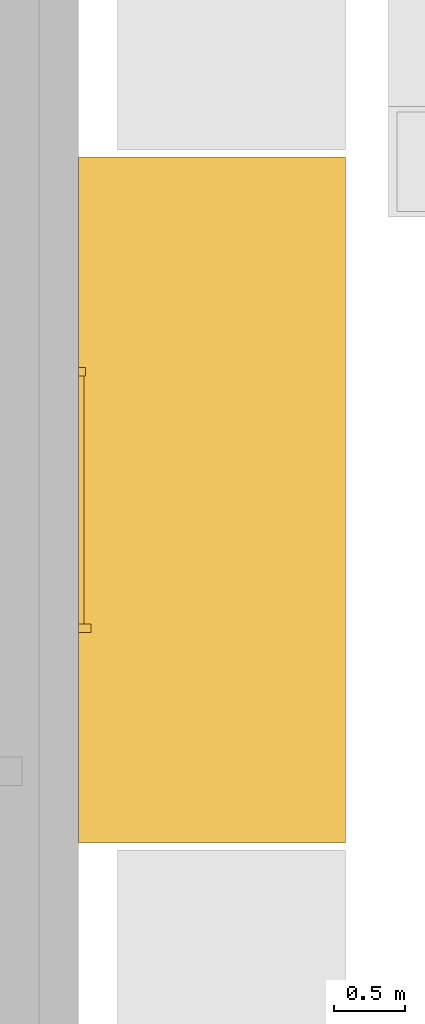
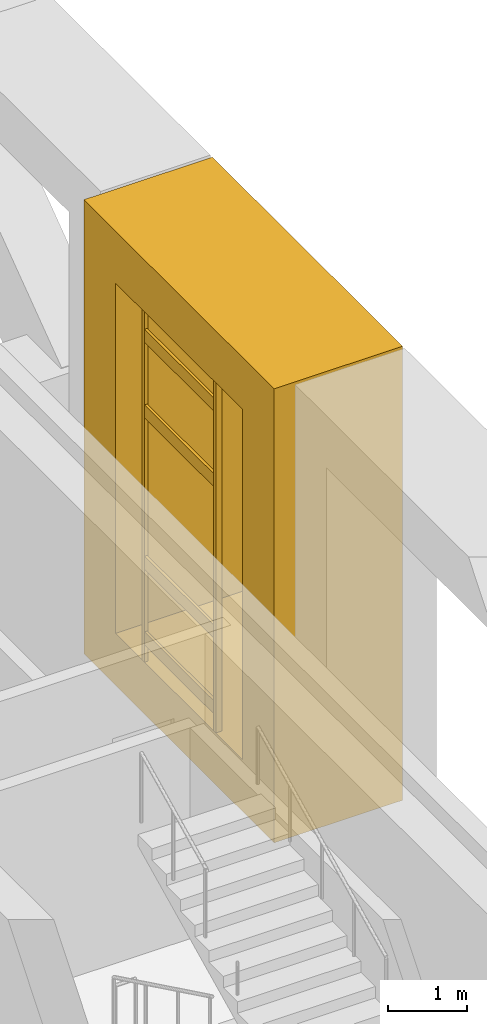
# One storey, part 20 of 22: 7 coverings.
"""IFC4 building model written with IfcOpenShell, lengths in metres."""

import ifcopenshell
import ifcopenshell.guid

model = None  # the IFC model being written
_history = None  # IfcOwnerHistory: only IFC2X3 demands one
_inside = {}  # id of a spatial element -> (the spatial element, [elements in it])
_under = {}  # id of a project, library or spatial element -> (it, [spatial elements below it])
_declared = {}  # id of a project -> (the project, [libraries it declares])
_typed = {}  # id of a type object -> (the type object, [elements of that type])
_made_of = {}  # id of a material, layer set ... -> (it, [elements and type objects made of it])


def new_model(schema):
    """Start an empty IFC model of exactly this schema.

    Asked for "IFC4X3", IfcOpenShell would pick the latest addendum, in which some entities
    have other attributes; the version numbers below select the first issue.
    IFC2X3 requires an IfcOwnerHistory on every rooted entity: one is made here for all.
    """
    global model, _history
    if schema == "IFC4X3":
        model = ifcopenshell.file(schema_version=(4, 3, 0, 0))
    else:
        model = ifcopenshell.file(schema=schema)
    _inside.clear()
    _under.clear()
    _declared.clear()
    _typed.clear()
    _made_of.clear()
    _history = None
    if model.schema == "IFC2X3":
        org = make("IfcOrganization", Name="unknown")
        user = make(
            "IfcPersonAndOrganization",
            ThePerson=make("IfcPerson", FamilyName="unknown"),
            TheOrganization=org,
        )
        app = make(
            "IfcApplication",
            ApplicationDeveloper=org,
            Version="unknown",
            ApplicationFullName="unknown",
            ApplicationIdentifier="unknown",
        )
        _history = make(
            "IfcOwnerHistory",
            OwningUser=user,
            OwningApplication=app,
            ChangeAction="ADDED",
            CreationDate=0,
        )
    return model


def make(cls, **values):
    """One entity of the class cls with the attributes given. An attribute that is None is left unset."""
    return model.create_entity(
        cls, **{name: value for name, value in values.items() if value is not None}
    )


def rooted(cls, **values):
    """An entity with a GlobalId (a new one), such as an element, a storey or a relation."""
    return make(cls, GlobalId=ifcopenshell.guid.new(), OwnerHistory=_history, **values)


def si_unit(unit_type, name, prefix=None):
    """IfcSIUnit, for example si_unit("LENGTHUNIT", "METRE", prefix="MILLI")."""
    return make("IfcSIUnit", UnitType=unit_type, Prefix=prefix, Name=name)


def assignment(units):
    """IfcUnitAssignment: the units of a project."""
    return None if units is None else make("IfcUnitAssignment", Units=units)


def point(xyz):
    """IfcCartesianPoint."""
    return None if xyz is None else make("IfcCartesianPoint", Coordinates=xyz)


def direction(xyz):
    """IfcDirection."""
    return None if xyz is None else make("IfcDirection", DirectionRatios=xyz)


def frame(location, z_axis=None, x_axis=None):
    """IfcAxis2Placement3D, a coordinate frame: its origin and axes. An axis left out is left unset."""
    return make(
        "IfcAxis2Placement3D",
        Location=point(location),
        Axis=direction(z_axis),
        RefDirection=direction(x_axis),
    )


def frame_2d(location, x_axis=None):
    """IfcAxis2Placement2D, a coordinate frame in the plane: its origin and x axis."""
    return make(
        "IfcAxis2Placement2D", Location=point(location), RefDirection=direction(x_axis)
    )


def origin():
    """The frame at (0, 0, 0) with its axes left unset."""
    return frame((0.0, 0.0, 0.0))


def origin_2d():
    """The frame at (0, 0) in the plane with its x axis left unset."""
    return frame_2d((0.0, 0.0))


def place(relative_to, where):
    """IfcLocalPlacement: puts the frame where relative to a parent placement (None: the world)."""
    return make(
        "IfcLocalPlacement", PlacementRelTo=relative_to, RelativePlacement=where
    )


def context(
    kind, dimensions, precision=None, world=None, true_north=None, identifier=None
):
    """IfcGeometricRepresentationContext, for example the 3D "Model" context."""
    return make(
        "IfcGeometricRepresentationContext",
        ContextIdentifier=identifier,
        ContextType=kind,
        CoordinateSpaceDimension=dimensions,
        Precision=precision,
        WorldCoordinateSystem=world,
        TrueNorth=true_north,
    )


def subcontext(parent, identifier, kind, view, scale=None):
    """IfcGeometricRepresentationSubContext, for example "Body" below "Model"."""
    return make(
        "IfcGeometricRepresentationSubContext",
        ContextIdentifier=identifier,
        ContextType=kind,
        ParentContext=parent,
        TargetScale=scale,
        TargetView=view,
    )


def project(units=None, contexts=None):
    """IfcProject with its units and contexts."""
    return rooted(
        "IfcProject",
        Name="project",
        RepresentationContexts=contexts,
        UnitsInContext=assignment(units),
    )


def spatial(cls, under=None, at=None, **own):
    """A site, building, storey or space (cls), placed at a placement, below another one or the project."""
    s = rooted(cls, ObjectPlacement=at, **own)
    if under is not None:
        _under.setdefault(under.id(), (under, []))[1].append(s)
    return s


def polyline(points):
    """IfcPolyline through the points."""
    return make("IfcPolyline", Points=[point(p) for p in points])


def profile(cls, at=None, kind="AREA", **sizes):
    """A parametric profile (cls). Its sizes go by their IFC names, for example OverallWidth=200.0."""
    return make(cls, ProfileType=kind, Position=at, **sizes)


def rectangle(**sizes):
    """IfcRectangleProfileDef."""
    return profile("IfcRectangleProfileDef", **sizes)


def outline(outer, holes=None, kind="AREA"):
    """IfcArbitraryClosedProfileDef: a profile drawn as a closed curve; with holes, ...WithVoids."""
    if holes is None:
        return make("IfcArbitraryClosedProfileDef", ProfileType=kind, OuterCurve=outer)
    return make(
        "IfcArbitraryProfileDefWithVoids",
        ProfileType=kind,
        OuterCurve=outer,
        InnerCurves=holes,
    )


def extrude(swept, where, along, depth):
    """IfcExtrudedAreaSolid: the profile swept, set in the frame where, extruded along a direction by depth."""
    return make(
        "IfcExtrudedAreaSolid",
        SweptArea=swept,
        Position=where,
        ExtrudedDirection=direction(along),
        Depth=depth,
    )


def shape(context_of_items, identifier, shape_type, items):
    """IfcShapeRepresentation: the items that make up one representation, for example the "Body"."""
    return make(
        "IfcShapeRepresentation",
        ContextOfItems=context_of_items,
        RepresentationIdentifier=identifier,
        RepresentationType=shape_type,
        Items=items,
    )


def material(Name=None, Category=None):
    """IfcMaterial."""
    return make("IfcMaterial", Name=Name, Category=Category)


def made_of(thing, what):
    """Note that an element or type object is made of a material, layer set ...; save() writes the relation."""
    if what is not None:
        _made_of.setdefault(what.id(), (what, []))[1].append(thing)
    return thing


def type_object(cls, material=None, **own):
    """A type object (cls), such as IfcWallType, which elements share."""
    return made_of(rooted(cls, **own), material)


def element(
    cls,
    number,
    at=None,
    inside=None,
    cuts=None,
    type_object=None,
    material=None,
    context=None,
    identifier="Body",
    shape_type=None,
    held_by="IfcProductDefinitionShape",
    body=None,
    shapes=None,
    **own,
):
    """One element of the class cls, such as IfcWall. Its Tag is "e" and its number.

    at: its placement. inside: the storey or other place that contains it. cuts: it is an
    opening in that element (IfcRelVoidsElement). A single representation is given by context,
    identifier, shape_type and body (its items); several are given by shapes. held_by: the class
    of the entity that holds the representations. save() writes the other relations.
    """
    e = rooted(cls, Tag="e%d" % number, ObjectPlacement=at, **own)
    if body is not None:
        shapes = [shape(context, identifier, shape_type, body)]
    if shapes is not None:
        e.Representation = make(held_by, Representations=shapes)
    if inside is not None:
        _inside.setdefault(inside.id(), (inside, []))[1].append(e)
    if cuts is not None:
        rooted(
            "IfcRelVoidsElement", RelatingBuildingElement=cuts, RelatedOpeningElement=e
        )
    if type_object is not None:
        _typed.setdefault(type_object.id(), (type_object, []))[1].append(e)
    return made_of(e, material)


def aggregate(whole, parts):
    """IfcRelAggregates: a whole, such as a stair, and the parts it consists of."""
    return rooted("IfcRelAggregates", RelatingObject=whole, RelatedObjects=parts)


def save(model, path):
    """Write the relations noted so far, then the file.

    IfcRelAggregates (storeys below a building ...), IfcRelContainedInSpatialStructure (elements
    in a storey), IfcRelDefinesByType, IfcRelAssociatesMaterial and IfcRelDeclares: one each for
    every whole, place, type object, material and project.
    """
    for whole, parts in _under.values():
        aggregate(whole, parts)
    for where, things in _inside.values():
        rooted(
            "IfcRelContainedInSpatialStructure",
            RelatedElements=things,
            RelatingStructure=where,
        )
    for kind, things in _typed.values():
        rooted("IfcRelDefinesByType", RelatedObjects=things, RelatingType=kind)
    for what, things in _made_of.values():
        rooted("IfcRelAssociatesMaterial", RelatedObjects=things, RelatingMaterial=what)
    for by, libraries in _declared.values():
        rooted("IfcRelDeclares", RelatingContext=by, RelatedDefinitions=libraries)
    model.write(path)


model = new_model("IFC4")

# Units and contexts
model_context = context("Model", 3, precision=1e-05, world=origin(), true_north=direction((0.0, 1.0)))
body_context = subcontext(model_context, "Body", "Model", "MODEL_VIEW")
ifc_project = project(units=[si_unit("LENGTHUNIT", "METRE"), si_unit("AREAUNIT", "SQUARE_METRE"), si_unit("VOLUMEUNIT", "CUBIC_METRE"), si_unit("PLANEANGLEUNIT", "RADIAN"), si_unit("MASSUNIT", "GRAM", prefix="KILO")], contexts=[model_context])

# Site, building, storey
site_placement = place(None, origin())
site = spatial("IfcSite", under=ifc_project, at=site_placement, CompositionType="ELEMENT")
building_placement = place(site_placement, origin())
building = spatial("IfcBuilding", under=site, at=building_placement, Name="Cobrizo Arcos Hotel Tower", CompositionType="ELEMENT")
storey_placement = place(building_placement, frame((0.0, 0.0, 176.0)))
storey = spatial("IfcBuildingStorey", under=building, at=storey_placement, Name="L45", CompositionType="ELEMENT", Elevation=176.0)

# Coverings
ifc_material_1 = material(Name="Aluminium 6063-T6 anodised bronze", Category="aluminium")
covering_type_1 = type_object("IfcCoveringType", Name="FIN-F 1875", PredefinedType="CLADDING", material=ifc_material_1)
covering_1_placement = place(storey_placement, frame((21.875, -2.403564453125, 0.0), z_axis=(1.0, 0.0, 0.0), x_axis=(0.0, 1.0, 0.0)))
element("IfcCovering", 1, at=covering_1_placement, inside=storey, type_object=covering_type_1, Name="Fin frame 223", PredefinedType="CLADDING", context=body_context, shape_type="SweptSolid", body=[
    extrude(outline(polyline([(0.0, 7.0), (0.0, 0.0), (4.80712890625, 0.0), (4.80712890625, 7.0), (0.0, 7.0)]), holes=[polyline([(4.007080078125, 0.800048828125), (0.800048828125, 0.800048828125), (0.800048828125, 6.199951171875), (4.007080078125, 6.199951171875), (4.007080078125, 0.800048828125)])]), origin(), (0.0, 0.0, 1.0), 1.875),
])
ifc_material_2 = material(Name="Aluminium 6063-T6 anodised pale", Category="aluminium")
covering_type_2 = type_object("IfcCoveringType", Name="RS-1 rainscreen rib 60x90", PredefinedType="CLADDING", material=ifc_material_2)
covering_2_placement = place(storey_placement, frame((21.919921875, -0.89990234375, 0.800048828125), z_axis=(0.0, 0.0, 1.0), x_axis=(0.0, 1.0, 0.0)))
element("IfcCovering", 2, at=covering_2_placement, inside=storey, type_object=covering_type_2, Name="Rainscreen rib 177", PredefinedType="CLADDING", context=body_context, shape_type="SweptSolid", body=[
    extrude(rectangle(XDim=0.06005859375, YDim=0.090087890625, at=origin_2d()), origin(), (0.0, 0.0, 1.0), 5.39990234375),
])
covering_type_3 = type_object("IfcCoveringType", Name="RS-2 rainscreen rib 60x50", PredefinedType="CLADDING", material=ifc_material_2)
covering_3_placement = place(storey_placement, frame((21.89990234375, 0.89990234375, 0.800048828125), z_axis=(0.0, 0.0, 1.0), x_axis=(0.0, 1.0, 0.0)))
element("IfcCovering", 3, at=covering_3_placement, inside=storey, type_object=covering_type_3, Name="Rainscreen rib 178", PredefinedType="CLADDING", context=body_context, shape_type="SweptSolid", body=[
    extrude(rectangle(XDim=0.06005859375, YDim=0.050048828125, at=origin_2d()), origin(), (0.0, 0.0, 1.0), 5.39990234375),
])
covering_type_4 = type_object("IfcCoveringType", Name="RS-3 rainscreen louvre slat 200x40", PredefinedType="CLADDING", material=ifc_material_2)
for number, where, z_axis, x_axis, name in (
    (4, (21.89501953125, 0.0, 1.06689453125), (0.0, 0.0, 1.0), (0.0, 1.0, 0.0), "Rainscreen slat 25"),
    (5, (21.89501953125, 0.0, 2.2333984375), (0.0, 0.0, 1.0), (0.0, 1.0, 0.0), "Rainscreen slat 26"),
    (6, (21.89501953125, 0.0, 4.56689453125), (0.0, 0.0, 1.0), (0.0, 1.0, 0.0), "Rainscreen slat 27"),
    (7, (21.89501953125, 0.0, 5.7333984375), (0.0, 0.0, 1.0), (0.0, 1.0, 0.0), "Rainscreen slat 28"),
):
    element("IfcCovering", number, at=place(storey_placement, frame(where, z_axis=z_axis, x_axis=x_axis)), inside=storey, type_object=covering_type_4, Name=name, PredefinedType="CLADDING", context=body_context, shape_type="SweptSolid", body=[
        extrude(rectangle(XDim=1.739990234375, YDim=0.0400390625, at=origin_2d()), origin(), (0.0, 0.0, 1.0), 0.199951171875),
    ])

save(model, "model.ifc")
